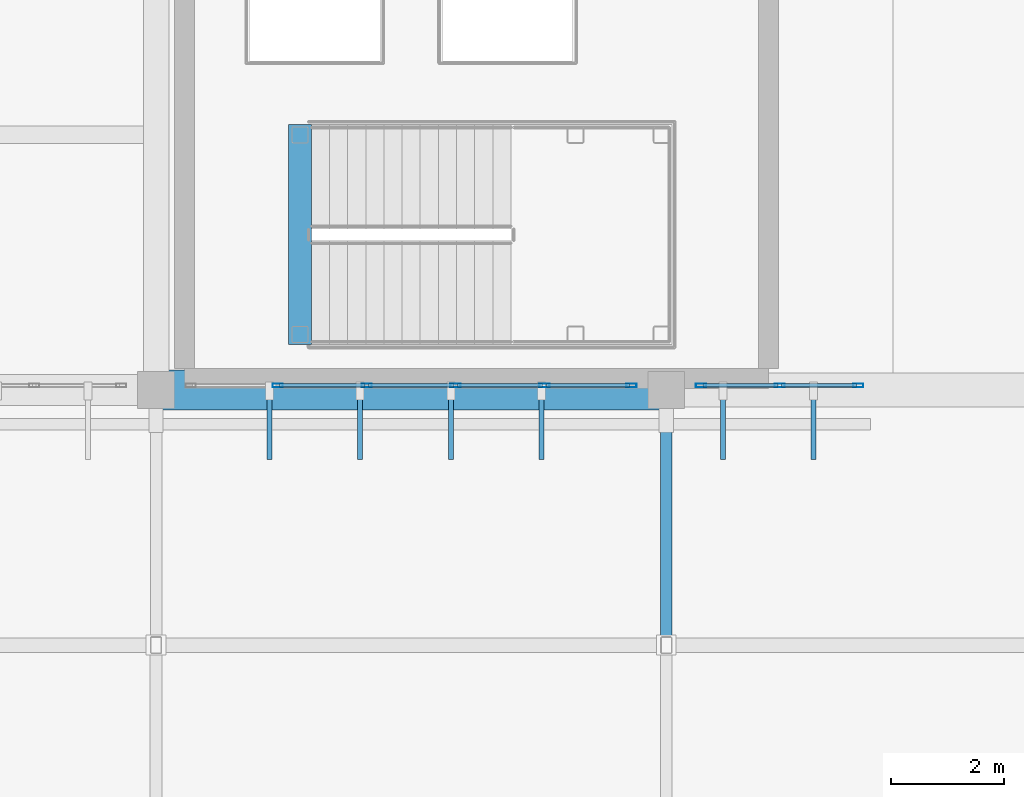
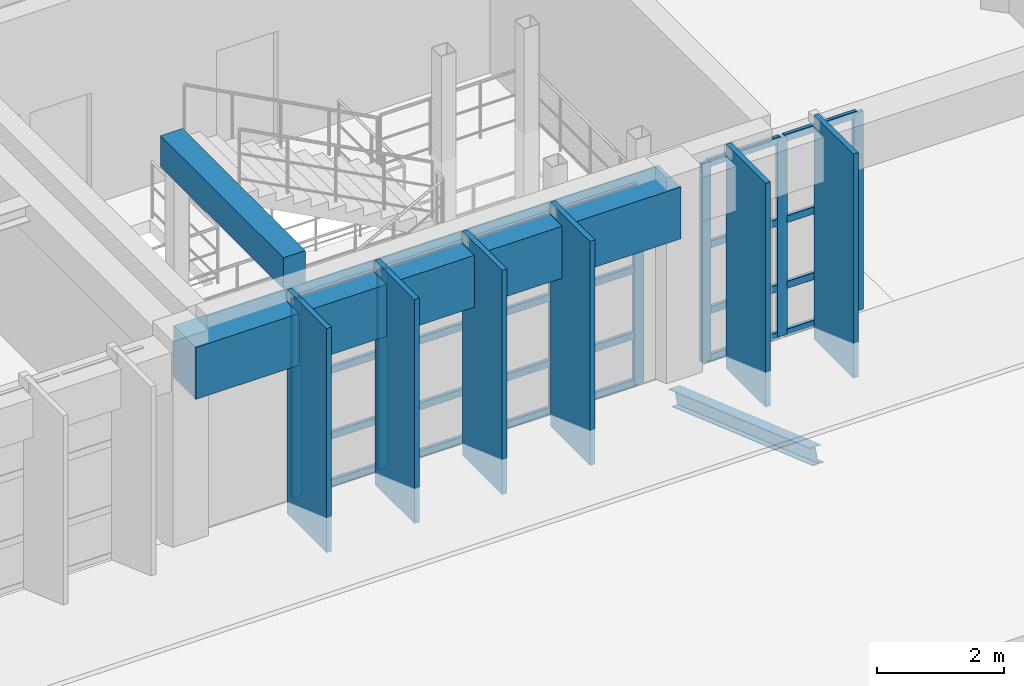
# One storey, part 29 of 80: 39 members, 2 beams, 2 elements without a shape of their own.
"""IFC4 building model written with IfcOpenShell, lengths in metres."""

from ifc_helpers import new_model, si_unit, direction, frame, origin, origin_2d, place, context, subcontext, project, spatial, rectangle, hollow_rectangle, i_section, extrude, material, material_profile, profile_set, type_object, element, aggregate, save


model = new_model("IFC4")

# Units and contexts
model_context = context("Model", 3, precision=1e-05, world=origin(), true_north=direction((0.0, 1.0)))
body_context = subcontext(model_context, "Body", "Model", "MODEL_VIEW")
ifc_project = project(units=[si_unit("LENGTHUNIT", "METRE"), si_unit("AREAUNIT", "SQUARE_METRE"), si_unit("VOLUMEUNIT", "CUBIC_METRE"), si_unit("PLANEANGLEUNIT", "RADIAN"), si_unit("MASSUNIT", "GRAM", prefix="KILO")], contexts=[model_context])

# Site, building, storey
site_placement = place(None, origin())
site = spatial("IfcSite", under=ifc_project, at=site_placement, CompositionType="ELEMENT")
building_placement = place(site_placement, origin())
building = spatial("IfcBuilding", under=site, at=building_placement, Name="Miravela Opera House", CompositionType="ELEMENT")
storey_placement = place(building_placement, frame((0.0, 0.0, 17.679931640625)))
storey = spatial("IfcBuildingStorey", under=building, at=storey_placement, Name="L04", CompositionType="ELEMENT", Elevation=17.679931640625)

# Curtain wall, members
ifc_material_1 = material(Name="Anodised architectural bronze aluminium 6063-T6", Category="aluminium")
curtain_wall_type = type_object("IfcCurtainWallType", Name="ARC-CW-02", PredefinedType="NOTDEFINED", material=ifc_material_1)
curtain_wall_1_placement = place(storey_placement, origin())
curtain_wall_1 = element("IfcCurtainWall", 1, at=curtain_wall_1_placement, inside=storey, type_object=curtain_wall_type, Name="Auditorium South Wrapper Glazing CW-L04-044", PredefinedType="NOTDEFINED")
ifc_material_profile_1 = material_profile(ifc_material_1, hollow_rectangle(XDim=0.06494140625, YDim=0.179931640625, WallThickness=0.00390625, InnerFilletRadius=0.001953125, OuterFilletRadius=0.00390625, at=origin_2d()), Name="CWM-65X180")
ifc_profile_set_1 = profile_set([ifc_material_profile_1])
member_type_1 = type_object("IfcMemberType", Name="ARC-CWM-180", PredefinedType="MULLION", material=ifc_profile_set_1)
member_1_placement = place(storey_placement, frame((47.14794921875, 37.080078125, 0.0), z_axis=(0.0, 0.0, 1.0), x_axis=(0.0, 1.0, 0.0)))
member_1 = element("IfcMember", 2, at=member_1_placement, type_object=member_type_1, Name="CW-02 mullion 2", PredefinedType="MULLION", context=body_context, shape_type="SweptSolid", body=[
    extrude(hollow_rectangle(XDim=0.06494140625, YDim=0.179931640625, WallThickness=0.00390625, InnerFilletRadius=0.001953125, OuterFilletRadius=0.00390625, at=origin_2d()), origin(), (0.0, 0.0, 1.0), 3.820068359375),
])
member_2_placement = place(storey_placement, frame((48.716064453125, 37.080078125, 0.0), z_axis=(0.0, 0.0, 1.0), x_axis=(0.0, 1.0, 0.0)))
member_2 = element("IfcMember", 3, at=member_2_placement, type_object=member_type_1, Name="CW-02 mullion 3", PredefinedType="MULLION", context=body_context, shape_type="SweptSolid", body=[
    extrude(hollow_rectangle(XDim=0.06494140625, YDim=0.179931640625, WallThickness=0.00390625, InnerFilletRadius=0.001953125, OuterFilletRadius=0.00390625, at=origin_2d()), origin(), (0.0, 0.0, 1.0), 3.820068359375),
])
member_3_placement = place(storey_placement, frame((50.283935546875, 37.080078125, 0.0), z_axis=(0.0, 0.0, 1.0), x_axis=(0.0, 1.0, 0.0)))
member_3 = element("IfcMember", 4, at=member_3_placement, type_object=member_type_1, Name="CW-02 mullion 4", PredefinedType="MULLION", context=body_context, shape_type="SweptSolid", body=[
    extrude(hollow_rectangle(XDim=0.06494140625, YDim=0.179931640625, WallThickness=0.00390625, InnerFilletRadius=0.001953125, OuterFilletRadius=0.00390625, at=origin_2d()), origin(), (0.0, 0.0, 1.0), 3.820068359375),
])
member_4_placement = place(storey_placement, frame((51.85205078125, 37.080078125, 0.0), z_axis=(0.0, 0.0, 1.0), x_axis=(0.0, 1.0, 0.0)))
member_4 = element("IfcMember", 5, at=member_4_placement, type_object=member_type_1, Name="CW-02 mullion 5", PredefinedType="MULLION", context=body_context, shape_type="SweptSolid", body=[
    extrude(hollow_rectangle(XDim=0.06494140625, YDim=0.179931640625, WallThickness=0.00390625, InnerFilletRadius=0.001953125, OuterFilletRadius=0.00390625, at=origin_2d()), origin(), (0.0, 0.0, 1.0), 3.820068359375),
])
member_5_placement = place(storey_placement, frame((53.387451171875, 37.080078125, 0.0), z_axis=(0.0, 0.0, 1.0), x_axis=(0.0, 1.0, 0.0)))
member_5 = element("IfcMember", 6, at=member_5_placement, type_object=member_type_1, Name="CW-02 mullion 6", PredefinedType="MULLION", context=body_context, shape_type="SweptSolid", body=[
    extrude(hollow_rectangle(XDim=0.06494140625, YDim=0.179931640625, WallThickness=0.00390625, InnerFilletRadius=0.001953125, OuterFilletRadius=0.00390625, at=origin_2d()), origin(), (0.0, 0.0, 1.0), 3.820068359375),
])

curtain_wall_2_placement = place(storey_placement, origin())
curtain_wall_2 = element("IfcCurtainWall", 7, at=curtain_wall_2_placement, inside=storey, type_object=curtain_wall_type, Name="Auditorium South Wrapper Glazing CW-L04-046", PredefinedType="NOTDEFINED")
member_6_placement = place(storey_placement, frame((54.612548828125, 37.080078125, 0.0), z_axis=(0.0, 0.0, 1.0), x_axis=(0.0, 1.0, 0.0)))
member_6 = element("IfcMember", 8, at=member_6_placement, type_object=member_type_1, Name="CW-02 mullion 1", PredefinedType="MULLION", context=body_context, shape_type="SweptSolid", body=[
    extrude(hollow_rectangle(XDim=0.06494140625, YDim=0.179931640625, WallThickness=0.00390625, InnerFilletRadius=0.001953125, OuterFilletRadius=0.00390625, at=origin_2d()), origin(), (0.0, 0.0, 1.0), 3.820068359375),
])
member_7_placement = place(storey_placement, frame((56.0, 37.080078125, 0.0), z_axis=(0.0, 0.0, 1.0), x_axis=(0.0, 1.0, 0.0)))
member_7 = element("IfcMember", 9, at=member_7_placement, type_object=member_type_1, Name="CW-02 mullion 2", PredefinedType="MULLION", context=body_context, shape_type="SweptSolid", body=[
    extrude(hollow_rectangle(XDim=0.06494140625, YDim=0.179931640625, WallThickness=0.00390625, InnerFilletRadius=0.001953125, OuterFilletRadius=0.00390625, at=origin_2d()), origin(), (0.0, 0.0, 1.0), 3.820068359375),
])
member_8_placement = place(storey_placement, frame((57.387451171875, 37.080078125, 0.0), z_axis=(0.0, 0.0, 1.0), x_axis=(0.0, 1.0, 0.0)))
member_8 = element("IfcMember", 10, at=member_8_placement, type_object=member_type_1, Name="CW-02 mullion 3", PredefinedType="MULLION", context=body_context, shape_type="SweptSolid", body=[
    extrude(hollow_rectangle(XDim=0.06494140625, YDim=0.179931640625, WallThickness=0.00390625, InnerFilletRadius=0.001953125, OuterFilletRadius=0.00390625, at=origin_2d()), origin(), (0.0, 0.0, 1.0), 3.820068359375),
])

# Member
ifc_material_profile_2 = material_profile(ifc_material_1, hollow_rectangle(XDim=0.06494140625, YDim=0.139892578125, WallThickness=0.00390625, InnerFilletRadius=0.001953125, OuterFilletRadius=0.00390625, at=origin_2d()), Name="CWT-65X140")
ifc_profile_set_2 = profile_set([ifc_material_profile_2])
member_type_2 = type_object("IfcMemberType", Name="ARC-CWT-140", PredefinedType="USERDEFINED", material=ifc_profile_set_2)
member_9_placement = place(storey_placement, frame((47.180419921875, 37.080078125, 0.032470703125), z_axis=(1.0, 0.0, 0.0), x_axis=(0.0, 1.0, 0.0)))
member_9 = element("IfcMember", 11, at=member_9_placement, type_object=member_type_2, Name="CW-02 transom 2.1", ObjectType="TRANSOM", PredefinedType="USERDEFINED", context=body_context, shape_type="SweptSolid", body=[
    extrude(hollow_rectangle(XDim=0.06494140625, YDim=0.139892578125, WallThickness=0.00390625, InnerFilletRadius=0.001953125, OuterFilletRadius=0.00390625, at=origin_2d()), origin(), (0.0, 0.0, 1.0), 1.503173828125),
])

member_10_placement = place(storey_placement, frame((47.180419921875, 37.080078125, 0.949951171875), z_axis=(1.0, 0.0, 0.0), x_axis=(0.0, 1.0, 0.0)))
member_10 = element("IfcMember", 12, at=member_10_placement, type_object=member_type_2, Name="CW-02 transom 2.2", ObjectType="TRANSOM", PredefinedType="USERDEFINED", context=body_context, shape_type="SweptSolid", body=[
    extrude(hollow_rectangle(XDim=0.06494140625, YDim=0.139892578125, WallThickness=0.00390625, InnerFilletRadius=0.001953125, OuterFilletRadius=0.00390625, at=origin_2d()), origin(), (0.0, 0.0, 1.0), 1.503173828125),
])

member_11_placement = place(storey_placement, frame((47.180419921875, 37.080078125, 2.215576171875), z_axis=(1.0, 0.0, 0.0), x_axis=(0.0, 1.0, 0.0)))
member_11 = element("IfcMember", 13, at=member_11_placement, type_object=member_type_2, Name="CW-02 transom 2.3", ObjectType="TRANSOM", PredefinedType="USERDEFINED", context=body_context, shape_type="SweptSolid", body=[
    extrude(hollow_rectangle(XDim=0.06494140625, YDim=0.139892578125, WallThickness=0.00390625, InnerFilletRadius=0.001953125, OuterFilletRadius=0.00390625, at=origin_2d()), origin(), (0.0, 0.0, 1.0), 1.503173828125),
])

member_12_placement = place(storey_placement, frame((47.180419921875, 37.080078125, 3.78759765625), z_axis=(1.0, 0.0, 0.0), x_axis=(0.0, 1.0, 0.0)))
member_12 = element("IfcMember", 14, at=member_12_placement, type_object=member_type_2, Name="CW-02 transom 2.4", ObjectType="TRANSOM", PredefinedType="USERDEFINED", context=body_context, shape_type="SweptSolid", body=[
    extrude(hollow_rectangle(XDim=0.06494140625, YDim=0.139892578125, WallThickness=0.00390625, InnerFilletRadius=0.001953125, OuterFilletRadius=0.00390625, at=origin_2d()), origin(), (0.0, 0.0, 1.0), 1.503173828125),
])

member_13_placement = place(storey_placement, frame((48.74853515625, 37.080078125, 0.032470703125), z_axis=(1.0, 0.0, 0.0), x_axis=(0.0, 1.0, 0.0)))
member_13 = element("IfcMember", 15, at=member_13_placement, type_object=member_type_2, Name="CW-02 transom 3.1", ObjectType="TRANSOM", PredefinedType="USERDEFINED", context=body_context, shape_type="SweptSolid", body=[
    extrude(hollow_rectangle(XDim=0.06494140625, YDim=0.139892578125, WallThickness=0.00390625, InnerFilletRadius=0.001953125, OuterFilletRadius=0.00390625, at=origin_2d()), origin(), (0.0, 0.0, 1.0), 1.5029296875),
])

member_14_placement = place(storey_placement, frame((48.74853515625, 37.080078125, 0.949951171875), z_axis=(1.0, 0.0, 0.0), x_axis=(0.0, 1.0, 0.0)))
member_14 = element("IfcMember", 16, at=member_14_placement, type_object=member_type_2, Name="CW-02 transom 3.2", ObjectType="TRANSOM", PredefinedType="USERDEFINED", context=body_context, shape_type="SweptSolid", body=[
    extrude(hollow_rectangle(XDim=0.06494140625, YDim=0.139892578125, WallThickness=0.00390625, InnerFilletRadius=0.001953125, OuterFilletRadius=0.00390625, at=origin_2d()), origin(), (0.0, 0.0, 1.0), 1.5029296875),
])

member_15_placement = place(storey_placement, frame((48.74853515625, 37.080078125, 2.215576171875), z_axis=(1.0, 0.0, 0.0), x_axis=(0.0, 1.0, 0.0)))
member_15 = element("IfcMember", 17, at=member_15_placement, type_object=member_type_2, Name="CW-02 transom 3.3", ObjectType="TRANSOM", PredefinedType="USERDEFINED", context=body_context, shape_type="SweptSolid", body=[
    extrude(hollow_rectangle(XDim=0.06494140625, YDim=0.139892578125, WallThickness=0.00390625, InnerFilletRadius=0.001953125, OuterFilletRadius=0.00390625, at=origin_2d()), origin(), (0.0, 0.0, 1.0), 1.5029296875),
])

member_16_placement = place(storey_placement, frame((48.74853515625, 37.080078125, 3.78759765625), z_axis=(1.0, 0.0, 0.0), x_axis=(0.0, 1.0, 0.0)))
member_16 = element("IfcMember", 18, at=member_16_placement, type_object=member_type_2, Name="CW-02 transom 3.4", ObjectType="TRANSOM", PredefinedType="USERDEFINED", context=body_context, shape_type="SweptSolid", body=[
    extrude(hollow_rectangle(XDim=0.06494140625, YDim=0.139892578125, WallThickness=0.00390625, InnerFilletRadius=0.001953125, OuterFilletRadius=0.00390625, at=origin_2d()), origin(), (0.0, 0.0, 1.0), 1.5029296875),
])

member_17_placement = place(storey_placement, frame((50.31640625, 37.080078125, 0.032470703125), z_axis=(1.0, 0.0, 0.0), x_axis=(0.0, 1.0, 0.0)))
member_17 = element("IfcMember", 19, at=member_17_placement, type_object=member_type_2, Name="CW-02 transom 4.1", ObjectType="TRANSOM", PredefinedType="USERDEFINED", context=body_context, shape_type="SweptSolid", body=[
    extrude(hollow_rectangle(XDim=0.06494140625, YDim=0.139892578125, WallThickness=0.00390625, InnerFilletRadius=0.001953125, OuterFilletRadius=0.00390625, at=origin_2d()), origin(), (0.0, 0.0, 1.0), 1.503173828125),
])

member_18_placement = place(storey_placement, frame((50.31640625, 37.080078125, 0.949951171875), z_axis=(1.0, 0.0, 0.0), x_axis=(0.0, 1.0, 0.0)))
member_18 = element("IfcMember", 20, at=member_18_placement, type_object=member_type_2, Name="CW-02 transom 4.2", ObjectType="TRANSOM", PredefinedType="USERDEFINED", context=body_context, shape_type="SweptSolid", body=[
    extrude(hollow_rectangle(XDim=0.06494140625, YDim=0.139892578125, WallThickness=0.00390625, InnerFilletRadius=0.001953125, OuterFilletRadius=0.00390625, at=origin_2d()), origin(), (0.0, 0.0, 1.0), 1.503173828125),
])

member_19_placement = place(storey_placement, frame((50.31640625, 37.080078125, 2.215576171875), z_axis=(1.0, 0.0, 0.0), x_axis=(0.0, 1.0, 0.0)))
member_19 = element("IfcMember", 21, at=member_19_placement, type_object=member_type_2, Name="CW-02 transom 4.3", ObjectType="TRANSOM", PredefinedType="USERDEFINED", context=body_context, shape_type="SweptSolid", body=[
    extrude(hollow_rectangle(XDim=0.06494140625, YDim=0.139892578125, WallThickness=0.00390625, InnerFilletRadius=0.001953125, OuterFilletRadius=0.00390625, at=origin_2d()), origin(), (0.0, 0.0, 1.0), 1.503173828125),
])

member_20_placement = place(storey_placement, frame((50.31640625, 37.080078125, 3.78759765625), z_axis=(1.0, 0.0, 0.0), x_axis=(0.0, 1.0, 0.0)))
member_20 = element("IfcMember", 22, at=member_20_placement, type_object=member_type_2, Name="CW-02 transom 4.4", ObjectType="TRANSOM", PredefinedType="USERDEFINED", context=body_context, shape_type="SweptSolid", body=[
    extrude(hollow_rectangle(XDim=0.06494140625, YDim=0.139892578125, WallThickness=0.00390625, InnerFilletRadius=0.001953125, OuterFilletRadius=0.00390625, at=origin_2d()), origin(), (0.0, 0.0, 1.0), 1.503173828125),
])

member_21_placement = place(storey_placement, frame((51.884521484375, 37.080078125, 0.032470703125), z_axis=(1.0, 0.0, 0.0), x_axis=(0.0, 1.0, 0.0)))
member_21 = element("IfcMember", 23, at=member_21_placement, type_object=member_type_2, Name="CW-02 transom 5.1", ObjectType="TRANSOM", PredefinedType="USERDEFINED", context=body_context, shape_type="SweptSolid", body=[
    extrude(hollow_rectangle(XDim=0.06494140625, YDim=0.139892578125, WallThickness=0.00390625, InnerFilletRadius=0.001953125, OuterFilletRadius=0.00390625, at=origin_2d()), origin(), (0.0, 0.0, 1.0), 1.470458984375),
])

member_22_placement = place(storey_placement, frame((51.884521484375, 37.080078125, 0.949951171875), z_axis=(1.0, 0.0, 0.0), x_axis=(0.0, 1.0, 0.0)))
member_22 = element("IfcMember", 24, at=member_22_placement, type_object=member_type_2, Name="CW-02 transom 5.2", ObjectType="TRANSOM", PredefinedType="USERDEFINED", context=body_context, shape_type="SweptSolid", body=[
    extrude(hollow_rectangle(XDim=0.06494140625, YDim=0.139892578125, WallThickness=0.00390625, InnerFilletRadius=0.001953125, OuterFilletRadius=0.00390625, at=origin_2d()), origin(), (0.0, 0.0, 1.0), 1.470458984375),
])

member_23_placement = place(storey_placement, frame((51.884521484375, 37.080078125, 2.215576171875), z_axis=(1.0, 0.0, 0.0), x_axis=(0.0, 1.0, 0.0)))
member_23 = element("IfcMember", 25, at=member_23_placement, type_object=member_type_2, Name="CW-02 transom 5.3", ObjectType="TRANSOM", PredefinedType="USERDEFINED", context=body_context, shape_type="SweptSolid", body=[
    extrude(hollow_rectangle(XDim=0.06494140625, YDim=0.139892578125, WallThickness=0.00390625, InnerFilletRadius=0.001953125, OuterFilletRadius=0.00390625, at=origin_2d()), origin(), (0.0, 0.0, 1.0), 1.470458984375),
])

member_24_placement = place(storey_placement, frame((51.884521484375, 37.080078125, 3.78759765625), z_axis=(1.0, 0.0, 0.0), x_axis=(0.0, 1.0, 0.0)))
member_24 = element("IfcMember", 26, at=member_24_placement, type_object=member_type_2, Name="CW-02 transom 5.4", ObjectType="TRANSOM", PredefinedType="USERDEFINED", context=body_context, shape_type="SweptSolid", body=[
    extrude(hollow_rectangle(XDim=0.06494140625, YDim=0.139892578125, WallThickness=0.00390625, InnerFilletRadius=0.001953125, OuterFilletRadius=0.00390625, at=origin_2d()), origin(), (0.0, 0.0, 1.0), 1.470458984375),
])

aggregate(curtain_wall_1, [member_1, member_2, member_3, member_4, member_5, member_9, member_10, member_11, member_12, member_13, member_14, member_15, member_16, member_17, member_18, member_19, member_20, member_21, member_22, member_23, member_24])

member_25_placement = place(storey_placement, frame((54.64501953125, 37.080078125, 0.032470703125), z_axis=(1.0, 0.0, 0.0), x_axis=(0.0, 1.0, 0.0)))
member_25 = element("IfcMember", 27, at=member_25_placement, type_object=member_type_2, Name="CW-02 transom 1.1", ObjectType="TRANSOM", PredefinedType="USERDEFINED", context=body_context, shape_type="SweptSolid", body=[
    extrude(hollow_rectangle(XDim=0.06494140625, YDim=0.139892578125, WallThickness=0.00390625, InnerFilletRadius=0.001953125, OuterFilletRadius=0.00390625, at=origin_2d()), origin(), (0.0, 0.0, 1.0), 1.322509765625),
])

member_26_placement = place(storey_placement, frame((54.64501953125, 37.080078125, 0.949951171875), z_axis=(1.0, 0.0, 0.0), x_axis=(0.0, 1.0, 0.0)))
member_26 = element("IfcMember", 28, at=member_26_placement, type_object=member_type_2, Name="CW-02 transom 1.2", ObjectType="TRANSOM", PredefinedType="USERDEFINED", context=body_context, shape_type="SweptSolid", body=[
    extrude(hollow_rectangle(XDim=0.06494140625, YDim=0.139892578125, WallThickness=0.00390625, InnerFilletRadius=0.001953125, OuterFilletRadius=0.00390625, at=origin_2d()), origin(), (0.0, 0.0, 1.0), 1.322509765625),
])

member_27_placement = place(storey_placement, frame((54.64501953125, 37.080078125, 2.215576171875), z_axis=(1.0, 0.0, 0.0), x_axis=(0.0, 1.0, 0.0)))
member_27 = element("IfcMember", 29, at=member_27_placement, type_object=member_type_2, Name="CW-02 transom 1.3", ObjectType="TRANSOM", PredefinedType="USERDEFINED", context=body_context, shape_type="SweptSolid", body=[
    extrude(hollow_rectangle(XDim=0.06494140625, YDim=0.139892578125, WallThickness=0.00390625, InnerFilletRadius=0.001953125, OuterFilletRadius=0.00390625, at=origin_2d()), origin(), (0.0, 0.0, 1.0), 1.322509765625),
])

member_28_placement = place(storey_placement, frame((54.64501953125, 37.080078125, 3.78759765625), z_axis=(1.0, 0.0, 0.0), x_axis=(0.0, 1.0, 0.0)))
member_28 = element("IfcMember", 30, at=member_28_placement, type_object=member_type_2, Name="CW-02 transom 1.4", ObjectType="TRANSOM", PredefinedType="USERDEFINED", context=body_context, shape_type="SweptSolid", body=[
    extrude(hollow_rectangle(XDim=0.06494140625, YDim=0.139892578125, WallThickness=0.00390625, InnerFilletRadius=0.001953125, OuterFilletRadius=0.00390625, at=origin_2d()), origin(), (0.0, 0.0, 1.0), 1.322509765625),
])

member_29_placement = place(storey_placement, frame((56.032470703125, 37.080078125, 0.032470703125), z_axis=(1.0, 0.0, 0.0), x_axis=(0.0, 1.0, 0.0)))
member_29 = element("IfcMember", 31, at=member_29_placement, type_object=member_type_2, Name="CW-02 transom 2.1", ObjectType="TRANSOM", PredefinedType="USERDEFINED", context=body_context, shape_type="SweptSolid", body=[
    extrude(hollow_rectangle(XDim=0.06494140625, YDim=0.139892578125, WallThickness=0.00390625, InnerFilletRadius=0.001953125, OuterFilletRadius=0.00390625, at=origin_2d()), origin(), (0.0, 0.0, 1.0), 1.322509765625),
])

member_30_placement = place(storey_placement, frame((56.032470703125, 37.080078125, 0.949951171875), z_axis=(1.0, 0.0, 0.0), x_axis=(0.0, 1.0, 0.0)))
member_30 = element("IfcMember", 32, at=member_30_placement, type_object=member_type_2, Name="CW-02 transom 2.2", ObjectType="TRANSOM", PredefinedType="USERDEFINED", context=body_context, shape_type="SweptSolid", body=[
    extrude(hollow_rectangle(XDim=0.06494140625, YDim=0.139892578125, WallThickness=0.00390625, InnerFilletRadius=0.001953125, OuterFilletRadius=0.00390625, at=origin_2d()), origin(), (0.0, 0.0, 1.0), 1.322509765625),
])

member_31_placement = place(storey_placement, frame((56.032470703125, 37.080078125, 2.215576171875), z_axis=(1.0, 0.0, 0.0), x_axis=(0.0, 1.0, 0.0)))
member_31 = element("IfcMember", 33, at=member_31_placement, type_object=member_type_2, Name="CW-02 transom 2.3", ObjectType="TRANSOM", PredefinedType="USERDEFINED", context=body_context, shape_type="SweptSolid", body=[
    extrude(hollow_rectangle(XDim=0.06494140625, YDim=0.139892578125, WallThickness=0.00390625, InnerFilletRadius=0.001953125, OuterFilletRadius=0.00390625, at=origin_2d()), origin(), (0.0, 0.0, 1.0), 1.322509765625),
])

member_32_placement = place(storey_placement, frame((56.032470703125, 37.080078125, 3.78759765625), z_axis=(1.0, 0.0, 0.0), x_axis=(0.0, 1.0, 0.0)))
member_32 = element("IfcMember", 34, at=member_32_placement, type_object=member_type_2, Name="CW-02 transom 2.4", ObjectType="TRANSOM", PredefinedType="USERDEFINED", context=body_context, shape_type="SweptSolid", body=[
    extrude(hollow_rectangle(XDim=0.06494140625, YDim=0.139892578125, WallThickness=0.00390625, InnerFilletRadius=0.001953125, OuterFilletRadius=0.00390625, at=origin_2d()), origin(), (0.0, 0.0, 1.0), 1.322509765625),
])

aggregate(curtain_wall_2, [member_6, member_7, member_8, member_25, member_26, member_27, member_28, member_29, member_30, member_31, member_32])

# Members
ifc_material_profile_3 = material_profile(ifc_material_1, rectangle(XDim=0.090087890625, YDim=1.25, at=origin_2d()), Name="FIN-1250X90")
ifc_profile_set_3 = profile_set([ifc_material_profile_3])
member_type_3 = type_object("IfcMemberType", Name="ARC-FIN-1250", PredefinedType="USERDEFINED", material=ifc_profile_set_3)
for number, where, z_axis, x_axis, name in (
    (35, (47.0, 36.39501953125, -0.239990234375), (0.0, 0.0, 1.0), (1.0, 0.0, 0.0), "Auditorium Wrapper Bronze Solar Fin FIN-L04-SOUTH-0130"),
    (36, (48.60009765625, 36.39501953125, -0.239990234375), (0.0, 0.0, 1.0), (1.0, 0.0, 0.0), "Auditorium Wrapper Bronze Solar Fin FIN-L04-SOUTH-0132"),
    (37, (50.199951171875, 36.39501953125, -0.239990234375), (0.0, 0.0, 1.0), (1.0, 0.0, 0.0), "Auditorium Wrapper Bronze Solar Fin FIN-L04-SOUTH-0134"),
    (38, (51.800048828125, 36.39501953125, -0.239990234375), (0.0, 0.0, 1.0), (1.0, 0.0, 0.0), "Auditorium Wrapper Bronze Solar Fin FIN-L04-SOUTH-0136"),
    (39, (55.0, 36.39501953125, -0.239990234375), (0.0, 0.0, 1.0), (1.0, 0.0, 0.0), "Auditorium Wrapper Bronze Solar Fin FIN-L04-SOUTH-0138"),
    (40, (56.60009765625, 36.39501953125, -0.239990234375), (0.0, 0.0, 1.0), (1.0, 0.0, 0.0), "Auditorium Wrapper Bronze Solar Fin FIN-L04-SOUTH-0140"),
):
    element("IfcMember", number, at=place(storey_placement, frame(where, z_axis=z_axis, x_axis=x_axis)), inside=storey, type_object=member_type_3, Name=name, ObjectType="FIN", PredefinedType="USERDEFINED", context=body_context, shape_type="SweptSolid", body=[
        extrude(rectangle(XDim=0.090087890625, YDim=1.25, at=origin_2d()), origin(), (0.0, 0.0, 1.0), 4.320068359375),
    ])

# Beams
ifc_material_2 = material(Name="Concrete C35/45", Category="concrete")
ifc_material_profile_4 = material_profile(ifc_material_2, rectangle(XDim=0.39990234375, YDim=0.60009765625, at=origin_2d()), Name="RC-BM-400X600")
ifc_profile_set_4 = profile_set([ifc_material_profile_4])
beam_type_1 = type_object("IfcBeamType", Name="STR-BM-RC400X600", PredefinedType="JOIST", material=ifc_profile_set_4)
beam_1_placement = place(storey_placement, frame((47.5400390625, 37.800048828125, 3.780029296875), z_axis=(0.0, 1.0, 0.0), x_axis=(-1.0, 0.0, 0.0)))
element("IfcBeam", 41, at=beam_1_placement, inside=storey, type_object=beam_type_1, Name="Stair K2 Opening Header Trimmer Beam 05", PredefinedType="JOIST", context=body_context, shape_type="SweptSolid", body=[
    extrude(rectangle(XDim=0.39990234375, YDim=0.60009765625, at=origin_2d()), origin(), (0.0, 0.0, 1.0), 3.8798828125),
])
ifc_material_3 = material(Name="Concrete C40/50", Category="concrete")
ifc_material_profile_5 = material_profile(ifc_material_3, rectangle(XDim=0.699951171875, YDim=1.0, at=origin_2d()), Name="RC-BM-700X1000")
ifc_profile_set_5 = profile_set([ifc_material_profile_5])
beam_type_2 = type_object("IfcBeamType", Name="STR-BM-RC700X1000", PredefinedType="BEAM", material=ifc_profile_set_5)
beam_2_placement = place(storey_placement, frame((45.080078125, 37.0, 3.340087890625), z_axis=(1.0, 0.0, 0.0), x_axis=(0.0, 1.0, 0.0)))
element("IfcBeam", 42, at=beam_2_placement, inside=storey, type_object=beam_type_2, Name="Floor Girder L04 6-7/E", PredefinedType="BEAM", context=body_context, shape_type="SweptSolid", body=[
    extrude(rectangle(XDim=0.699951171875, YDim=1.0, at=origin_2d()), origin(), (0.0, 0.0, 1.0), 8.83984375),
])

# Member
ifc_material_4 = material(Name="Structural steel ASTM A992 Gr. 50", Category="steel")
ifc_material_profile_6 = material_profile(ifc_material_4, i_section(OverallWidth=0.202880859375, OverallDepth=0.302978515625, WebThickness=0.007568359375, FlangeThickness=0.01318359375, FilletRadius=0.012939453125, at=origin_2d()), Name="W310X60")
ifc_profile_set_6 = profile_set([ifc_material_profile_6])
member_type_4 = type_object("IfcMemberType", Name="STR-MEM-RAFTER-2", PredefinedType="RAFTER", material=ifc_profile_set_6)
member_33_placement = place(storey_placement, frame((54.0, 36.949951171875, -0.39990234375), z_axis=(0.0, -0.943687918104, 0.3308369889), x_axis=(1.0, 0.0, 0.0)))
element("IfcMember", 43, at=member_33_placement, inside=storey, type_object=member_type_4, Name="Pitched Roof Rafter ROOF-V4-WEST-N N4", PredefinedType="RAFTER", context=body_context, shape_type="SweptSolid", body=[
    extrude(i_section(OverallWidth=0.202880859375, OverallDepth=0.302978515625, WebThickness=0.007568359375, FlangeThickness=0.01318359375, FilletRadius=0.012939453125, at=origin_2d()), origin(), (0.0, 0.0, 1.0), 4.715576171875),
])

save(model, "model.ifc")
